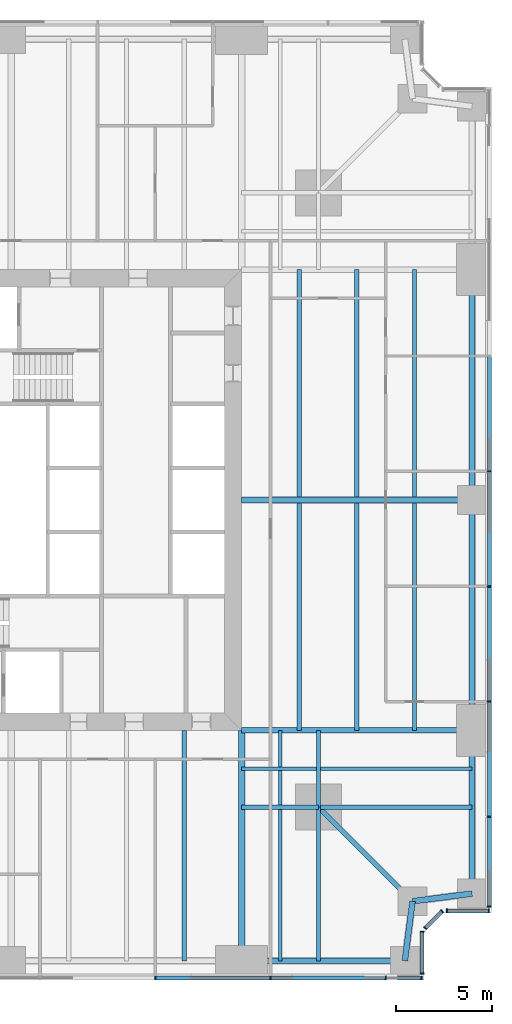
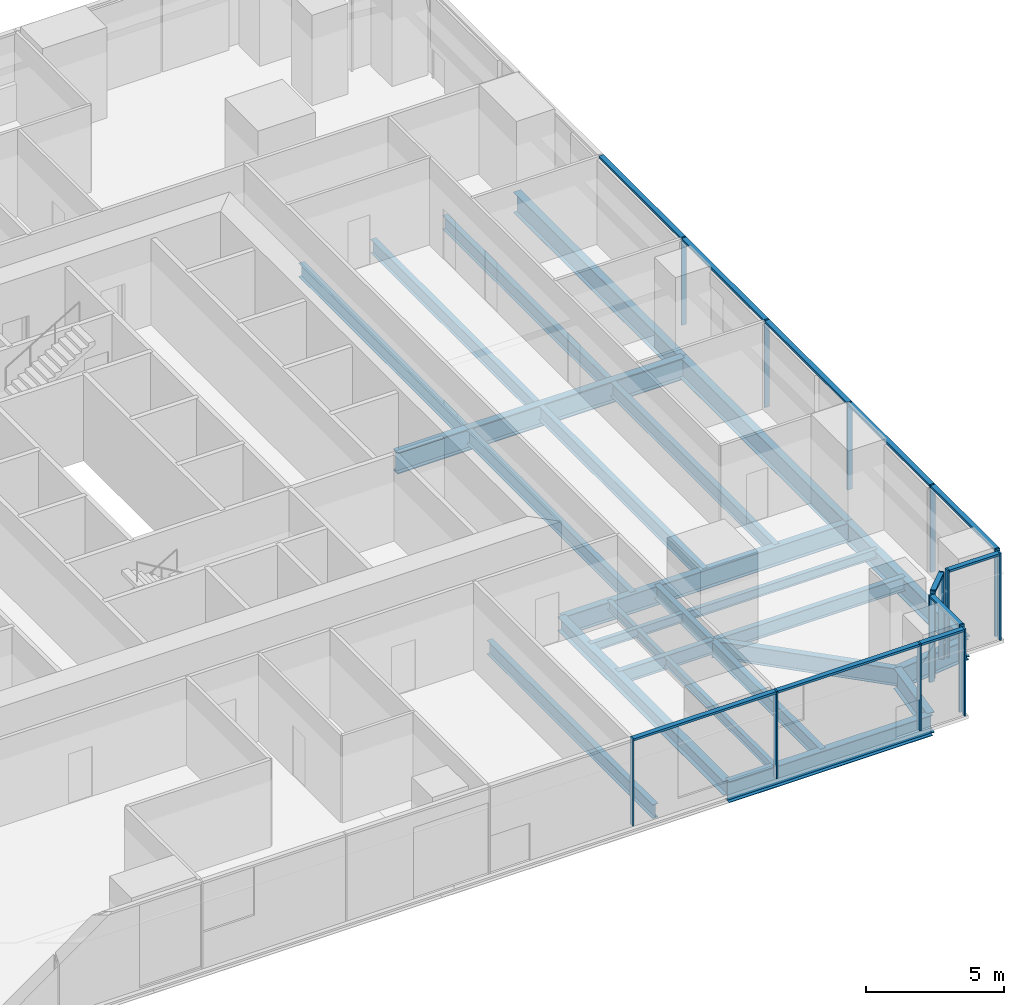
# One storey, part 5 of 14: 26 beams, 26 members, 5 elements without a shape of their own.
"""IFC4 building model written with IfcOpenShell, lengths in metres."""

from ifc_helpers import new_model, si_unit, direction, frame, origin, origin_2d, place, context, subcontext, project, spatial, rectangle, i_section, extrude, material, material_profile, profile_set, type_object, element, aggregate, save


model = new_model("IFC4")

# Units and contexts
model_context = context("Model", 3, precision=1e-05, world=origin(), true_north=direction((0.0, 1.0)))
body_context = subcontext(model_context, "Body", "Model", "MODEL_VIEW")
ifc_project = project(units=[si_unit("LENGTHUNIT", "METRE"), si_unit("AREAUNIT", "SQUARE_METRE"), si_unit("VOLUMEUNIT", "CUBIC_METRE"), si_unit("PLANEANGLEUNIT", "RADIAN"), si_unit("MASSUNIT", "GRAM", prefix="KILO")], contexts=[model_context])

# Site, building, storey
site_placement = place(None, origin())
site = spatial("IfcSite", under=ifc_project, at=site_placement, CompositionType="ELEMENT")
building_placement = place(site_placement, origin())
building = spatial("IfcBuilding", under=site, at=building_placement, Name="Fenwick Lantern Interchange", CompositionType="ELEMENT")
storey_placement = place(building_placement, frame((0.0, 0.0, 35.0)))
storey = spatial("IfcBuildingStorey", under=building, at=storey_placement, Name="L07", CompositionType="ELEMENT", Elevation=35.0)

# Beams
ifc_material_1 = material(Name="Steel ASTM A992 Grade 50", Category="steel")
ifc_material_profile_1 = material_profile(ifc_material_1, i_section(OverallWidth=0.3046875, OverallDepth=0.911865234375, WebThickness=0.015869140625, FlangeThickness=0.02392578125, at=origin_2d()), Name="W36X150")
ifc_profile_set_1 = profile_set([ifc_material_profile_1], Name="Steel ASTM A992 Grade 50")
beam_type_1 = type_object("IfcBeamType", Name="EDGE BEAM W36X150", PredefinedType="SPANDREL", material=ifc_profile_set_1)
beam_1_placement = place(storey_placement, frame((37.0, 1.0, -0.60595703125), z_axis=(1.0, 0.0, 0.0), x_axis=(0.0, 1.0, 0.0)))
element("IfcBeam", 1, at=beam_1_placement, inside=storey, type_object=beam_type_1, Name="L07/FR/S/EB4", PredefinedType="SPANDREL", context=body_context, shape_type="SweptSolid", body=[
    extrude(i_section(OverallWidth=0.3046875, OverallDepth=0.911865234375, WebThickness=0.015869140625, FlangeThickness=0.02392578125, at=origin_2d()), origin(), (0.0, 0.0, 1.0), 8.5),
])
for number, where, z_axis, x_axis, name in (
    (2, (45.5, 1.0, -0.60595703125), (0.127936641807, 0.991782342897, 0.0), (-0.991782342897, 0.127936641807, 0.0), "L07/FR/S/EBR1"),
    (3, (45.89990234375, 4.10009765625, -0.60595703125), (0.991782342897, 0.127936641807, 0.0), (-0.127936641807, 0.991782342897, 0.0), "L07/FR/S/EBR2"),
):
    element("IfcBeam", number, at=place(storey_placement, frame(where, z_axis=z_axis, x_axis=x_axis)), inside=storey, type_object=beam_type_1, Name=name, PredefinedType="SPANDREL", context=body_context, shape_type="SweptSolid", body=[
        extrude(i_section(OverallWidth=0.3046875, OverallDepth=0.911865234375, WebThickness=0.015869140625, FlangeThickness=0.02392578125, at=origin_2d()), origin(), (0.0, 0.0, 1.0), 3.125732421875),
    ])
beam_2_placement = place(storey_placement, frame((49.0, 4.5, -0.60595703125), z_axis=(0.0, 1.0, 0.0), x_axis=(-1.0, 0.0, 0.0)))
element("IfcBeam", 4, at=beam_2_placement, inside=storey, type_object=beam_type_1, Name="L07/FR/E/EB1", PredefinedType="SPANDREL", context=body_context, shape_type="SweptSolid", body=[
    extrude(i_section(OverallWidth=0.3046875, OverallDepth=0.911865234375, WebThickness=0.015869140625, FlangeThickness=0.02392578125, at=origin_2d()), origin(), (0.0, 0.0, 1.0), 8.5),
])
for number, where, z_axis, x_axis, name in (
    (5, (49.0, 13.0, -0.60595703125), (0.0, 1.0, 0.0), (-1.0, 0.0, 0.0), "L07/FR/E/EB2"),
    (6, (49.0, 25.0, -0.60595703125), (0.0, 1.0, 0.0), (-1.0, 0.0, 0.0), "L07/FR/E/EB3"),
):
    element("IfcBeam", number, at=place(storey_placement, frame(where, z_axis=z_axis, x_axis=x_axis)), inside=storey, type_object=beam_type_1, Name=name, PredefinedType="SPANDREL", context=body_context, shape_type="SweptSolid", body=[
        extrude(i_section(OverallWidth=0.3046875, OverallDepth=0.911865234375, WebThickness=0.015869140625, FlangeThickness=0.02392578125, at=origin_2d()), origin(), (0.0, 0.0, 1.0), 12.0),
    ])
ifc_material_profile_2 = material_profile(ifc_material_1, i_section(OverallWidth=0.22900390625, OverallDepth=0.612060546875, WebThickness=0.011962890625, FlangeThickness=0.01953125, at=origin_2d()), Name="W24X84")
ifc_profile_set_2 = profile_set([ifc_material_profile_2], Name="Steel ASTM A992 Grade 50")
beam_type_2 = type_object("IfcBeamType", Name="FLOOR BEAM W24X84", PredefinedType="BEAM", material=ifc_profile_set_2)
beam_3_placement = place(storey_placement, frame((34.0, 1.0, -0.4560546875), z_axis=(0.0, 1.0, 0.0), x_axis=(-1.0, 0.0, 0.0)))
element("IfcBeam", 7, at=beam_3_placement, inside=storey, type_object=beam_type_2, Name="L07/FR/S/R08", PredefinedType="BEAM", context=body_context, shape_type="SweptSolid", body=[
    extrude(i_section(OverallWidth=0.22900390625, OverallDepth=0.612060546875, WebThickness=0.011962890625, FlangeThickness=0.01953125, at=origin_2d()), origin(), (0.0, 0.0, 1.0), 12.0),
])
for number, where, z_axis, x_axis, name in (
    (8, (46.0, 13.0, -0.4560546875), (0.0, 1.0, 0.0), (-1.0, 0.0, 0.0), "L07/FR/E/B01"),
    (9, (43.0, 13.0, -0.4560546875), (0.0, 1.0, 0.0), (-1.0, 0.0, 0.0), "L07/FR/E/B02"),
    (10, (40.0, 13.0, -0.4560546875), (0.0, 1.0, 0.0), (-1.0, 0.0, 0.0), "L07/FR/E/B03"),
    (11, (46.0, 25.155029296875, -0.4560546875), (0.0, 1.0, 0.0), (-1.0, 0.0, 0.0), "L07/FR/E/B04"),
    (12, (43.0, 25.155029296875, -0.4560546875), (0.0, 1.0, 0.0), (-1.0, 0.0, 0.0), "L07/FR/E/B05"),
    (13, (40.0, 25.155029296875, -0.4560546875), (0.0, 1.0, 0.0), (-1.0, 0.0, 0.0), "L07/FR/E/B06"),
):
    element("IfcBeam", number, at=place(storey_placement, frame(where, z_axis=z_axis, x_axis=x_axis)), inside=storey, type_object=beam_type_2, Name=name, PredefinedType="BEAM", context=body_context, shape_type="SweptSolid", body=[
        extrude(i_section(OverallWidth=0.22900390625, OverallDepth=0.612060546875, WebThickness=0.011962890625, FlangeThickness=0.01953125, at=origin_2d()), origin(), (0.0, 0.0, 1.0), 11.844970703125),
    ])
ifc_material_profile_3 = material_profile(ifc_material_1, i_section(OverallWidth=0.177734375, OverallDepth=0.406494140625, WebThickness=0.0078125, FlangeThickness=0.012939453125, at=origin_2d()), Name="W16X40")
ifc_profile_set_3 = profile_set([ifc_material_profile_3], Name="Steel ASTM A992 Grade 50")
beam_type_3 = type_object("IfcBeamType", Name="INFILL BEAM W16X40", PredefinedType="JOIST", material=ifc_profile_set_3)
beam_4_placement = place(storey_placement, frame((49.0, 11.0, -0.353271484375), z_axis=(-1.0, 0.0, 0.0), x_axis=(0.0, -1.0, 0.0)))
element("IfcBeam", 14, at=beam_4_placement, inside=storey, type_object=beam_type_3, Name="L07/FR/E/J1", PredefinedType="JOIST", context=body_context, shape_type="SweptSolid", body=[
    extrude(i_section(OverallWidth=0.177734375, OverallDepth=0.406494140625, WebThickness=0.0078125, FlangeThickness=0.012939453125, at=origin_2d()), origin(), (0.0, 0.0, 1.0), 7.885498046875),
])
beam_5_placement = place(storey_placement, frame((40.885498046875, 11.0, -0.353271484375), z_axis=(-1.0, 0.0, 0.0), x_axis=(0.0, -1.0, 0.0)))
element("IfcBeam", 15, at=beam_5_placement, inside=storey, type_object=beam_type_3, Name="L07/FR/E/J2", PredefinedType="JOIST", context=body_context, shape_type="SweptSolid", body=[
    extrude(i_section(OverallWidth=0.177734375, OverallDepth=0.406494140625, WebThickness=0.0078125, FlangeThickness=0.012939453125, at=origin_2d()), origin(), (0.0, 0.0, 1.0), 3.885498046875),
])
beam_6_placement = place(storey_placement, frame((39.0, 1.0, -0.353271484375), z_axis=(0.0, 1.0, 0.0), x_axis=(-1.0, 0.0, 0.0)))
element("IfcBeam", 16, at=beam_6_placement, inside=storey, type_object=beam_type_3, Name="L07/FR/E/J3", PredefinedType="JOIST", context=body_context, shape_type="SweptSolid", body=[
    extrude(i_section(OverallWidth=0.177734375, OverallDepth=0.406494140625, WebThickness=0.0078125, FlangeThickness=0.012939453125, at=origin_2d()), origin(), (0.0, 0.0, 1.0), 7.885498046875),
])
beam_7_placement = place(storey_placement, frame((39.0, 9.114501953125, -0.353271484375), z_axis=(0.0, 1.0, 0.0), x_axis=(-1.0, 0.0, 0.0)))
element("IfcBeam", 17, at=beam_7_placement, inside=storey, type_object=beam_type_3, Name="L07/FR/E/J4", PredefinedType="JOIST", context=body_context, shape_type="SweptSolid", body=[
    extrude(i_section(OverallWidth=0.177734375, OverallDepth=0.406494140625, WebThickness=0.0078125, FlangeThickness=0.012939453125, at=origin_2d()), origin(), (0.0, 0.0, 1.0), 1.796630859375),
])
beam_8_placement = place(storey_placement, frame((39.0, 11.0888671875, -0.353271484375), z_axis=(0.0, 1.0, 0.0), x_axis=(-1.0, 0.0, 0.0)))
element("IfcBeam", 18, at=beam_8_placement, inside=storey, type_object=beam_type_3, Name="L07/FR/E/J5", PredefinedType="JOIST", context=body_context, shape_type="SweptSolid", body=[
    extrude(i_section(OverallWidth=0.177734375, OverallDepth=0.406494140625, WebThickness=0.0078125, FlangeThickness=0.012939453125, at=origin_2d()), origin(), (0.0, 0.0, 1.0), 1.9111328125),
])
ifc_material_profile_4 = material_profile(ifc_material_1, i_section(OverallWidth=0.22900390625, OverallDepth=0.612060546875, WebThickness=0.011962890625, FlangeThickness=0.01953125, at=origin_2d()), Name="W24X84")
ifc_profile_set_4 = profile_set([ifc_material_profile_4], Name="Steel ASTM A992 Grade 50")
beam_type_4 = type_object("IfcBeamType", Name="MEGA COLUMN BEAM W24X84", PredefinedType="BEAM", material=ifc_profile_set_4)
for number, where, z_axis, x_axis, name in (
    (19, (41.0, 9.0, -0.4560546875), (1.0, 0.0, 0.0), (0.0, 1.0, 0.0), "L07/FR/E/MB1"),
    (20, (41.0, 9.0, -0.4560546875), (0.0, -1.0, 0.0), (1.0, 0.0, 0.0), "L07/FR/E/MB2"),
):
    element("IfcBeam", number, at=place(storey_placement, frame(where, z_axis=z_axis, x_axis=x_axis)), inside=storey, type_object=beam_type_4, Name=name, PredefinedType="BEAM", context=body_context, shape_type="SweptSolid", body=[
        extrude(i_section(OverallWidth=0.22900390625, OverallDepth=0.612060546875, WebThickness=0.011962890625, FlangeThickness=0.01953125, at=origin_2d()), origin(), (0.0, 0.0, 1.0), 8.0),
    ])
for number, where, z_axis, x_axis, name in (
    (21, (41.0, 9.0, -0.4560546875), (0.0, 1.0, 0.0), (-1.0, 0.0, 0.0), "L07/FR/E/MB3"),
    (22, (41.0, 9.0, -0.4560546875), (-1.0, 0.0, 0.0), (0.0, -1.0, 0.0), "L07/FR/E/MB4"),
):
    element("IfcBeam", number, at=place(storey_placement, frame(where, z_axis=z_axis, x_axis=x_axis)), inside=storey, type_object=beam_type_4, Name=name, PredefinedType="BEAM", context=body_context, shape_type="SweptSolid", body=[
        extrude(i_section(OverallWidth=0.22900390625, OverallDepth=0.612060546875, WebThickness=0.011962890625, FlangeThickness=0.01953125, at=origin_2d()), origin(), (0.0, 0.0, 1.0), 4.0),
    ])
ifc_material_profile_5 = material_profile(ifc_material_1, i_section(OverallWidth=0.32763671875, OverallDepth=0.622314453125, WebThickness=0.015380859375, FlangeThickness=0.0244140625, at=origin_2d()), Name="W24X131")
ifc_profile_set_5 = profile_set([ifc_material_profile_5], Name="Steel ASTM A992 Grade 50")
beam_type_5 = type_object("IfcBeamType", Name="MOMENT-CONNECTED GIRDER W24X131", PredefinedType="BEAM", material=ifc_profile_set_5)
beam_9_placement = place(storey_placement, frame((37.0, 1.0, -0.461181640625), z_axis=(0.0, 1.0, 0.0), x_axis=(-1.0, 0.0, 0.0)))
element("IfcBeam", 23, at=beam_9_placement, inside=storey, type_object=beam_type_5, Name="L07/FR/S/R09", PredefinedType="BEAM", context=body_context, shape_type="SweptSolid", body=[
    extrude(i_section(OverallWidth=0.32763671875, OverallDepth=0.622314453125, WebThickness=0.015380859375, FlangeThickness=0.0244140625, at=origin_2d()), origin(), (0.0, 0.0, 1.0), 12.0),
])
ifc_material_profile_6 = material_profile(ifc_material_1, i_section(OverallWidth=0.2919921875, OverallDepth=0.845703125, WebThickness=0.015380859375, FlangeThickness=0.0244140625, at=origin_2d()), Name="W33X141")
ifc_profile_set_6 = profile_set([ifc_material_profile_6], Name="Steel ASTM A992 Grade 50")
beam_type_6 = type_object("IfcBeamType", Name="MOMENT-CONNECTED GIRDER W33X141", PredefinedType="BEAM", material=ifc_profile_set_6)
beam_10_placement = place(storey_placement, frame((49.0, 13.0, -0.572998046875), z_axis=(-1.0, 0.0, 0.0), x_axis=(0.0, -1.0, 0.0)))
element("IfcBeam", 24, at=beam_10_placement, inside=storey, type_object=beam_type_6, Name="L07/FR/E/R01", PredefinedType="BEAM", context=body_context, shape_type="SweptSolid", body=[
    extrude(i_section(OverallWidth=0.2919921875, OverallDepth=0.845703125, WebThickness=0.015380859375, FlangeThickness=0.0244140625, at=origin_2d()), origin(), (0.0, 0.0, 1.0), 12.0),
])
ifc_material_profile_7 = material_profile(ifc_material_1, i_section(OverallWidth=0.309814453125, OverallDepth=0.949951171875, WebThickness=0.0244140625, FlangeThickness=0.0439453125, at=origin_2d()), Name="W36X256")
ifc_profile_set_7 = profile_set([ifc_material_profile_7], Name="Steel ASTM A992 Grade 50")
beam_type_7 = type_object("IfcBeamType", Name="MOMENT-CONNECTED GIRDER W36X256", PredefinedType="BEAM", material=ifc_profile_set_7)
beam_11_placement = place(storey_placement, frame((49.0, 25.0, -0.625), z_axis=(-1.0, 0.0, 0.0), x_axis=(0.0, -1.0, 0.0)))
element("IfcBeam", 25, at=beam_11_placement, inside=storey, type_object=beam_type_7, Name="L07/FR/E/R02", PredefinedType="BEAM", context=body_context, shape_type="SweptSolid", body=[
    extrude(i_section(OverallWidth=0.309814453125, OverallDepth=0.949951171875, WebThickness=0.0244140625, FlangeThickness=0.0439453125, at=origin_2d()), origin(), (0.0, 0.0, 1.0), 12.0),
])
ifc_material_profile_8 = material_profile(ifc_material_1, i_section(OverallWidth=0.2666015625, OverallDepth=0.7568359375, WebThickness=0.013916015625, FlangeThickness=0.019287109375, at=origin_2d()), Name="W30X108")
ifc_profile_set_8 = profile_set([ifc_material_profile_8], Name="Steel ASTM A992 Grade 50")
beam_type_8 = type_object("IfcBeamType", Name="NOTCH BEAM W30X108", PredefinedType="BEAM", material=ifc_profile_set_8)
beam_12_placement = place(storey_placement, frame((41.0, 9.0, -0.528564453125), z_axis=(0.707106781187, -0.707106781187, 0.0), x_axis=(0.707106781187, 0.707106781187, 0.0)))
element("IfcBeam", 26, at=beam_12_placement, inside=storey, type_object=beam_type_8, Name="L07/FR/E/TG", PredefinedType="BEAM", context=body_context, shape_type="SweptSolid", body=[
    extrude(i_section(OverallWidth=0.2666015625, OverallDepth=0.7568359375, WebThickness=0.013916015625, FlangeThickness=0.019287109375, at=origin_2d()), origin(), (0.0, 0.0, 1.0), 6.929443359375),
])

# Curtain wall, members
ifc_material_2 = material(Name="Aluminium curtain wall frame", Category="aluminium")
curtain_wall_type = type_object("IfcCurtainWallType", Name="OFFICE CURTAIN WALL", PredefinedType="USERDEFINED", material=ifc_material_2)
curtain_wall_1_placement = place(storey_placement, origin())
curtain_wall_1 = element("IfcCurtainWall", 27, at=curtain_wall_1_placement, inside=storey, type_object=curtain_wall_type, Name="Office curtain wall 01", ObjectType="OFFICE CURTAIN WALL", PredefinedType="USERDEFINED")
ifc_material_3 = material(Name="Aluminium extrusion", Category="aluminium")
ifc_material_profile_9 = material_profile(ifc_material_3, rectangle(XDim=0.199951171875, YDim=0.06494140625, at=origin_2d()), Name="OFFICE CURTAIN WALL MULLION 65 X 200")
ifc_profile_set_9 = profile_set([ifc_material_profile_9], Name="Aluminium extrusion")
member_type_1 = type_object("IfcMemberType", Name="OFFICE CURTAIN WALL MULLION 65 X 200", PredefinedType="MULLION", material=ifc_profile_set_9)
member_1_placement = place(storey_placement, frame((32.5, 0.10009765625, 0.0), z_axis=(0.0, 0.0, 1.0), x_axis=(0.0, 1.0, 0.0)))
member_1 = element("IfcMember", 28, at=member_1_placement, type_object=member_type_1, Name="L07/CW/01/M05", PredefinedType="MULLION", context=body_context, shape_type="SweptSolid", body=[
    extrude(rectangle(XDim=0.199951171875, YDim=0.06494140625, at=origin_2d()), origin(), (0.0, 0.0, 1.0), 3.85009765625),
])
member_2_placement = place(storey_placement, frame((38.5, 0.10009765625, 0.0), z_axis=(0.0, 0.0, 1.0), x_axis=(0.0, 1.0, 0.0)))
member_2 = element("IfcMember", 29, at=member_2_placement, type_object=member_type_1, Name="L07/CW/01/M06", PredefinedType="MULLION", context=body_context, shape_type="SweptSolid", body=[
    extrude(rectangle(XDim=0.199951171875, YDim=0.06494140625, at=origin_2d()), origin(), (0.0, 0.0, 1.0), 3.85009765625),
])
member_3_placement = place(storey_placement, frame((44.5, 0.10009765625, 0.0), z_axis=(0.0, 0.0, 1.0), x_axis=(0.0, 1.0, 0.0)))
member_3 = element("IfcMember", 30, at=member_3_placement, type_object=member_type_1, Name="L07/CW/01/M07", PredefinedType="MULLION", context=body_context, shape_type="SweptSolid", body=[
    extrude(rectangle(XDim=0.199951171875, YDim=0.06494140625, at=origin_2d()), origin(), (0.0, 0.0, 1.0), 3.85009765625),
])
member_4_placement = place(storey_placement, frame((46.367431640625, 0.10009765625, 0.0), z_axis=(0.0, 0.0, 1.0), x_axis=(0.0, 1.0, 0.0)))
member_4 = element("IfcMember", 31, at=member_4_placement, type_object=member_type_1, Name="L07/CW/01/M08", PredefinedType="MULLION", context=body_context, shape_type="SweptSolid", body=[
    extrude(rectangle(XDim=0.199951171875, YDim=0.06494140625, at=origin_2d()), origin(), (0.0, 0.0, 1.0), 3.85009765625),
])

curtain_wall_2_placement = place(storey_placement, origin())
curtain_wall_2 = element("IfcCurtainWall", 32, at=curtain_wall_2_placement, inside=storey, type_object=curtain_wall_type, Name="Office curtain wall 02", ObjectType="OFFICE CURTAIN WALL", PredefinedType="USERDEFINED")
member_5_placement = place(storey_placement, frame((46.39990234375, 0.33251953125, 0.0), z_axis=(0.0, 0.0, 1.0), x_axis=(-1.0, 0.0, 0.0)))
member_5 = element("IfcMember", 33, at=member_5_placement, type_object=member_type_1, Name="L07/CW/02/M00", PredefinedType="MULLION", context=body_context, shape_type="SweptSolid", body=[
    extrude(rectangle(XDim=0.199951171875, YDim=0.06494140625, at=origin_2d()), origin(), (0.0, 0.0, 1.0), 3.85009765625),
])
member_6_placement = place(storey_placement, frame((46.39990234375, 2.509033203125, 0.0), z_axis=(0.0, 0.0, 1.0), x_axis=(-1.0, 0.0, 0.0)))
member_6 = element("IfcMember", 34, at=member_6_placement, type_object=member_type_1, Name="L07/CW/02/M01", PredefinedType="MULLION", context=body_context, shape_type="SweptSolid", body=[
    extrude(rectangle(XDim=0.199951171875, YDim=0.06494140625, at=origin_2d()), origin(), (0.0, 0.0, 1.0), 3.85009765625),
])

curtain_wall_3_placement = place(storey_placement, origin())
curtain_wall_3 = element("IfcCurtainWall", 35, at=curtain_wall_3_placement, inside=storey, type_object=curtain_wall_type, Name="Office curtain wall 03", ObjectType="OFFICE CURTAIN WALL", PredefinedType="USERDEFINED")
member_7_placement = place(storey_placement, frame((46.564453125, 2.705810546875, 0.0), z_axis=(0.0, 0.0, 1.0), x_axis=(-0.707106781187, 0.707106781187, 0.0)))
member_7 = element("IfcMember", 36, at=member_7_placement, type_object=member_type_1, Name="L07/CW/03/M00", PredefinedType="MULLION", context=body_context, shape_type="SweptSolid", body=[
    extrude(rectangle(XDim=0.199951171875, YDim=0.06494140625, at=origin_2d()), origin(), (0.0, 0.0, 1.0), 3.85009765625),
])
member_8_placement = place(storey_placement, frame((47.435546875, 3.576904296875, 0.0), z_axis=(0.0, 0.0, 1.0), x_axis=(-0.707106781187, 0.707106781187, 0.0)))
member_8 = element("IfcMember", 37, at=member_8_placement, type_object=member_type_1, Name="L07/CW/03/M01", PredefinedType="MULLION", context=body_context, shape_type="SweptSolid", body=[
    extrude(rectangle(XDim=0.199951171875, YDim=0.06494140625, at=origin_2d()), origin(), (0.0, 0.0, 1.0), 3.85009765625),
])

curtain_wall_4_placement = place(storey_placement, origin())
curtain_wall_4 = element("IfcCurtainWall", 38, at=curtain_wall_4_placement, inside=storey, type_object=curtain_wall_type, Name="Office curtain wall 04", ObjectType="OFFICE CURTAIN WALL", PredefinedType="USERDEFINED")
member_9_placement = place(storey_placement, frame((47.691162109375, 3.60009765625, 0.0), z_axis=(0.0, 0.0, 1.0), x_axis=(0.0, 1.0, 0.0)))
member_9 = element("IfcMember", 39, at=member_9_placement, type_object=member_type_1, Name="L07/CW/04/M00", PredefinedType="MULLION", context=body_context, shape_type="SweptSolid", body=[
    extrude(rectangle(XDim=0.199951171875, YDim=0.06494140625, at=origin_2d()), origin(), (0.0, 0.0, 1.0), 3.85009765625),
])
member_10_placement = place(storey_placement, frame((49.867431640625, 3.60009765625, 0.0), z_axis=(0.0, 0.0, 1.0), x_axis=(0.0, 1.0, 0.0)))
member_10 = element("IfcMember", 40, at=member_10_placement, type_object=member_type_1, Name="L07/CW/04/M01", PredefinedType="MULLION", context=body_context, shape_type="SweptSolid", body=[
    extrude(rectangle(XDim=0.199951171875, YDim=0.06494140625, at=origin_2d()), origin(), (0.0, 0.0, 1.0), 3.85009765625),
])

curtain_wall_5_placement = place(storey_placement, origin())
curtain_wall_5 = element("IfcCurtainWall", 41, at=curtain_wall_5_placement, inside=storey, type_object=curtain_wall_type, Name="Office curtain wall 05", ObjectType="OFFICE CURTAIN WALL", PredefinedType="USERDEFINED")
member_11_placement = place(storey_placement, frame((49.89990234375, 3.83251953125, 0.0), z_axis=(0.0, 0.0, 1.0), x_axis=(-1.0, 0.0, 0.0)))
member_11 = element("IfcMember", 42, at=member_11_placement, type_object=member_type_1, Name="L07/CW/05/M00", PredefinedType="MULLION", context=body_context, shape_type="SweptSolid", body=[
    extrude(rectangle(XDim=0.199951171875, YDim=0.06494140625, at=origin_2d()), origin(), (0.0, 0.0, 1.0), 3.85009765625),
])
member_12_placement = place(storey_placement, frame((49.89990234375, 8.5, 0.0), z_axis=(0.0, 0.0, 1.0), x_axis=(-1.0, 0.0, 0.0)))
member_12 = element("IfcMember", 43, at=member_12_placement, type_object=member_type_1, Name="L07/CW/05/M01", PredefinedType="MULLION", context=body_context, shape_type="SweptSolid", body=[
    extrude(rectangle(XDim=0.199951171875, YDim=0.06494140625, at=origin_2d()), origin(), (0.0, 0.0, 1.0), 3.85009765625),
])
member_13_placement = place(storey_placement, frame((49.89990234375, 14.5, 0.0), z_axis=(0.0, 0.0, 1.0), x_axis=(-1.0, 0.0, 0.0)))
member_13 = element("IfcMember", 44, at=member_13_placement, type_object=member_type_1, Name="L07/CW/05/M02", PredefinedType="MULLION", context=body_context, shape_type="SweptSolid", body=[
    extrude(rectangle(XDim=0.199951171875, YDim=0.06494140625, at=origin_2d()), origin(), (0.0, 0.0, 1.0), 3.85009765625),
])
member_14_placement = place(storey_placement, frame((49.89990234375, 20.5, 0.0), z_axis=(0.0, 0.0, 1.0), x_axis=(-1.0, 0.0, 0.0)))
member_14 = element("IfcMember", 45, at=member_14_placement, type_object=member_type_1, Name="L07/CW/05/M03", PredefinedType="MULLION", context=body_context, shape_type="SweptSolid", body=[
    extrude(rectangle(XDim=0.199951171875, YDim=0.06494140625, at=origin_2d()), origin(), (0.0, 0.0, 1.0), 3.85009765625),
])
member_15_placement = place(storey_placement, frame((49.89990234375, 26.5, 0.0), z_axis=(0.0, 0.0, 1.0), x_axis=(-1.0, 0.0, 0.0)))
member_15 = element("IfcMember", 46, at=member_15_placement, type_object=member_type_1, Name="L07/CW/05/M04", PredefinedType="MULLION", context=body_context, shape_type="SweptSolid", body=[
    extrude(rectangle(XDim=0.199951171875, YDim=0.06494140625, at=origin_2d()), origin(), (0.0, 0.0, 1.0), 3.85009765625),
])

# Member
ifc_material_profile_10 = material_profile(ifc_material_3, rectangle(XDim=0.199951171875, YDim=0.10009765625, at=origin_2d()), Name="OFFICE CURTAIN WALL TRANSOM 100 X 200")
ifc_profile_set_10 = profile_set([ifc_material_profile_10], Name="Aluminium extrusion")
member_type_2 = type_object("IfcMemberType", Name="OFFICE CURTAIN WALL TRANSOM 100 X 200", PredefinedType="MULLION", material=ifc_profile_set_10)
member_16_placement = place(storey_placement, frame((32.532470703125, 0.10009765625, 3.800048828125), z_axis=(1.0, 0.0, 0.0), x_axis=(0.0, 1.0, 0.0)))
member_16 = element("IfcMember", 47, at=member_16_placement, type_object=member_type_2, Name="L07/CW/01/T05", PredefinedType="MULLION", context=body_context, shape_type="SweptSolid", body=[
    extrude(rectangle(XDim=0.199951171875, YDim=0.10009765625, at=origin_2d()), origin(), (0.0, 0.0, 1.0), 5.93505859375),
])

member_17_placement = place(storey_placement, frame((38.532470703125, 0.10009765625, 3.800048828125), z_axis=(1.0, 0.0, 0.0), x_axis=(0.0, 1.0, 0.0)))
member_17 = element("IfcMember", 48, at=member_17_placement, type_object=member_type_2, Name="L07/CW/01/T06", PredefinedType="MULLION", context=body_context, shape_type="SweptSolid", body=[
    extrude(rectangle(XDim=0.199951171875, YDim=0.10009765625, at=origin_2d()), origin(), (0.0, 0.0, 1.0), 5.93505859375),
])

member_18_placement = place(storey_placement, frame((44.532470703125, 0.10009765625, 3.800048828125), z_axis=(1.0, 0.0, 0.0), x_axis=(0.0, 1.0, 0.0)))
member_18 = element("IfcMember", 49, at=member_18_placement, type_object=member_type_2, Name="L07/CW/01/T07", PredefinedType="MULLION", context=body_context, shape_type="SweptSolid", body=[
    extrude(rectangle(XDim=0.199951171875, YDim=0.10009765625, at=origin_2d()), origin(), (0.0, 0.0, 1.0), 1.802490234375),
])

aggregate(curtain_wall_1, [member_1, member_2, member_3, member_4, member_16, member_17, member_18])

member_19_placement = place(storey_placement, frame((46.39990234375, 0.364990234375, 3.800048828125), z_axis=(0.0, 1.0, 0.0), x_axis=(-1.0, 0.0, 0.0)))
member_19 = element("IfcMember", 50, at=member_19_placement, type_object=member_type_2, Name="L07/CW/02/T00", PredefinedType="MULLION", context=body_context, shape_type="SweptSolid", body=[
    extrude(rectangle(XDim=0.199951171875, YDim=0.10009765625, at=origin_2d()), origin(), (0.0, 0.0, 1.0), 2.111328125),
])

aggregate(curtain_wall_2, [member_5, member_6, member_19])

member_20_placement = place(storey_placement, frame((46.58740234375, 2.728759765625, 3.800048828125), z_axis=(0.707106781187, 0.707106781187, 0.0), x_axis=(-0.707106781187, 0.707106781187, 0.0)))
member_20 = element("IfcMember", 51, at=member_20_placement, type_object=member_type_2, Name="L07/CW/03/T00", PredefinedType="MULLION", context=body_context, shape_type="SweptSolid", body=[
    extrude(rectangle(XDim=0.199951171875, YDim=0.10009765625, at=origin_2d()), origin(), (0.0, 0.0, 1.0), 1.1669921875),
])

aggregate(curtain_wall_3, [member_7, member_8, member_20])

member_21_placement = place(storey_placement, frame((47.7236328125, 3.60009765625, 3.800048828125), z_axis=(1.0, 0.0, 0.0), x_axis=(0.0, 1.0, 0.0)))
member_21 = element("IfcMember", 52, at=member_21_placement, type_object=member_type_2, Name="L07/CW/04/T00", PredefinedType="MULLION", context=body_context, shape_type="SweptSolid", body=[
    extrude(rectangle(XDim=0.199951171875, YDim=0.10009765625, at=origin_2d()), origin(), (0.0, 0.0, 1.0), 2.111328125),
])

aggregate(curtain_wall_4, [member_9, member_10, member_21])

member_22_placement = place(storey_placement, frame((49.89990234375, 3.864990234375, 3.800048828125), z_axis=(0.0, 1.0, 0.0), x_axis=(-1.0, 0.0, 0.0)))
member_22 = element("IfcMember", 53, at=member_22_placement, type_object=member_type_2, Name="L07/CW/05/T00", PredefinedType="MULLION", context=body_context, shape_type="SweptSolid", body=[
    extrude(rectangle(XDim=0.199951171875, YDim=0.10009765625, at=origin_2d()), origin(), (0.0, 0.0, 1.0), 4.6025390625),
])

member_23_placement = place(storey_placement, frame((49.89990234375, 8.532470703125, 3.800048828125), z_axis=(0.0, 1.0, 0.0), x_axis=(-1.0, 0.0, 0.0)))
member_23 = element("IfcMember", 54, at=member_23_placement, type_object=member_type_2, Name="L07/CW/05/T01", PredefinedType="MULLION", context=body_context, shape_type="SweptSolid", body=[
    extrude(rectangle(XDim=0.199951171875, YDim=0.10009765625, at=origin_2d()), origin(), (0.0, 0.0, 1.0), 5.93505859375),
])

member_24_placement = place(storey_placement, frame((49.89990234375, 14.532470703125, 3.800048828125), z_axis=(0.0, 1.0, 0.0), x_axis=(-1.0, 0.0, 0.0)))
member_24 = element("IfcMember", 55, at=member_24_placement, type_object=member_type_2, Name="L07/CW/05/T02", PredefinedType="MULLION", context=body_context, shape_type="SweptSolid", body=[
    extrude(rectangle(XDim=0.199951171875, YDim=0.10009765625, at=origin_2d()), origin(), (0.0, 0.0, 1.0), 5.93505859375),
])

member_25_placement = place(storey_placement, frame((49.89990234375, 20.532470703125, 3.800048828125), z_axis=(0.0, 1.0, 0.0), x_axis=(-1.0, 0.0, 0.0)))
member_25 = element("IfcMember", 56, at=member_25_placement, type_object=member_type_2, Name="L07/CW/05/T03", PredefinedType="MULLION", context=body_context, shape_type="SweptSolid", body=[
    extrude(rectangle(XDim=0.199951171875, YDim=0.10009765625, at=origin_2d()), origin(), (0.0, 0.0, 1.0), 5.93505859375),
])

member_26_placement = place(storey_placement, frame((49.89990234375, 26.532470703125, 3.800048828125), z_axis=(0.0, 1.0, 0.0), x_axis=(-1.0, 0.0, 0.0)))
member_26 = element("IfcMember", 57, at=member_26_placement, type_object=member_type_2, Name="L07/CW/05/T04", PredefinedType="MULLION", context=body_context, shape_type="SweptSolid", body=[
    extrude(rectangle(XDim=0.199951171875, YDim=0.10009765625, at=origin_2d()), origin(), (0.0, 0.0, 1.0), 5.93505859375),
])

aggregate(curtain_wall_5, [member_11, member_12, member_13, member_14, member_15, member_22, member_23, member_24, member_25, member_26])

save(model, "model.ifc")
